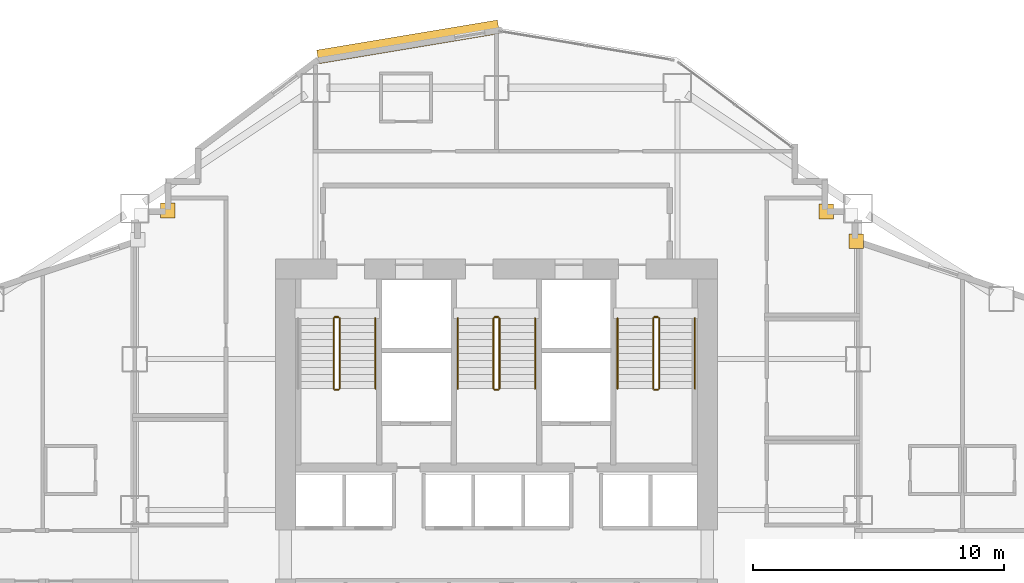
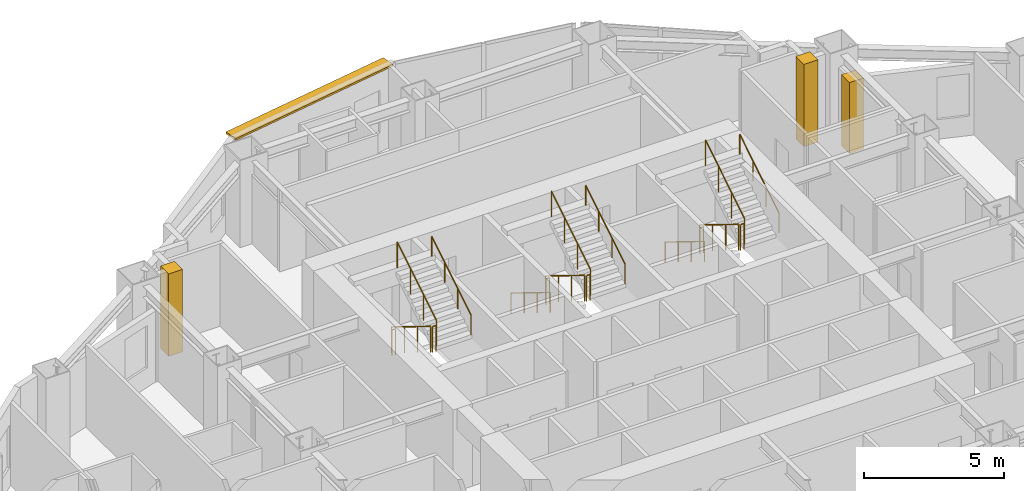
# One storey, part 16 of 17: 17 railings, 3 coverings, 1 shading device.
"""IFC4 building model written with IfcOpenShell, lengths in metres."""

from ifc_helpers import new_model, si_unit, direction, frame, origin, origin_2d, place, context, subcontext, project, spatial, rectangle, circle, extrude, material, layer, layer_set, type_object, element, save


model = new_model("IFC4")

# Units and contexts
model_context = context("Model", 3, precision=1e-05, world=origin(), true_north=direction((0.0, 1.0)))
body_context = subcontext(model_context, "Body", "Model", "MODEL_VIEW")
ifc_project = project(units=[si_unit("LENGTHUNIT", "METRE"), si_unit("AREAUNIT", "SQUARE_METRE"), si_unit("VOLUMEUNIT", "CUBIC_METRE"), si_unit("PLANEANGLEUNIT", "RADIAN"), si_unit("MASSUNIT", "GRAM", prefix="KILO")], contexts=[model_context])

# Site, building, storey
site_placement = place(None, origin())
site = spatial("IfcSite", under=ifc_project, at=site_placement, CompositionType="ELEMENT")
building_placement = place(site_placement, origin())
building = spatial("IfcBuilding", under=site, at=building_placement, Name="Haolan Belvedere Tower", CompositionType="ELEMENT")
storey_placement = place(building_placement, frame((0.0, 0.0, 81.800048828125)))
storey = spatial("IfcBuildingStorey", under=building, at=storey_placement, Name="L20", CompositionType="ELEMENT", Elevation=81.800048828125)

# Coverings
ifc_material_1 = material(Name="Pale champagne-silver anodised aluminium rainscreen cladding", Category="aluminium")
ifc_layer_1 = layer(ifc_material_1, 0.034912109375, Name="Pale champagne-silver anodised aluminium rainscreen cladding")
ifc_layer_set_1 = layer_set([ifc_layer_1], Name="Pale champagne-silver anodised aluminium rainscreen cladding")
covering_type = type_object("IfcCoveringType", Name="COV-CLAD-35", PredefinedType="CLADDING", material=ifc_layer_set_1)
covering_placement = place(storey_placement, frame((52.72021484375, 44.300048828125, 0.0), z_axis=(0.0, 0.0, 1.0), x_axis=(1.0, 0.0, 0.0)))
element("IfcCovering", 1, at=covering_placement, inside=storey, type_object=covering_type, Name="L20 pale-metal serrated corner cladding trim 7", PredefinedType="CLADDING", context=body_context, shape_type="SweptSolid", body=[
    extrude(rectangle(XDim=0.580078125, YDim=0.580078125, at=origin_2d()), origin(), (0.0, 0.0, 1.0), 3.096923828125),
])
for number, where, z_axis, x_axis, name in (
    (2, (51.5224609375, 45.47998046875, 0.0), (0.0, 0.0, 1.0), (1.0, 0.0, 0.0), "L20 pale-metal serrated corner cladding trim 8"),
    (3, (25.320068359375, 45.5224609375, 0.0), (0.0, 0.0, 1.0), (1.0, 0.0, 0.0), "L20 pale-metal serrated corner cladding trim 9"),
):
    element("IfcCovering", number, at=place(storey_placement, frame(where, z_axis=z_axis, x_axis=x_axis)), inside=storey, type_object=covering_type, Name=name, PredefinedType="CLADDING", context=body_context, shape_type="SweptSolid", body=[
        extrude(rectangle(XDim=0.580078125, YDim=0.580078125, at=origin_2d()), origin(), (0.0, 0.0, 1.0), 3.60009765625),
    ])

# Railings
ifc_material_2 = material(Name="Brushed stainless steel 304", Category="steel")
railing_type_1 = type_object("IfcRailingType", Name="RL-STAIR-GRD-1150", PredefinedType="GUARDRAIL", material=ifc_material_2)
railing_1_placement = place(storey_placement, frame((31.919921875, 41.22998046875, 0.172607421875)))
element("IfcRailing", 4, at=railing_1_placement, inside=storey, type_object=railing_type_1, Name="L20 ST1 stair guard 1", PredefinedType="GUARDRAIL", context=body_context, shape_type="SweptSolid", body=[
    extrude(circle(Radius=0.02392578125, at=origin_2d()), frame((0.0, 0.0, 1.1259765625), z_axis=(0.0, -0.851089632645, 0.525020415988), x_axis=(1.0, 0.0, 0.0)), (0.0, 0.0, 1.0), 3.2900390625),
    extrude(circle(Radius=0.02099609375, at=origin_2d()), origin(), (0.0, 0.0, 1.0), 1.101806640625),
    extrude(circle(Radius=0.02099609375, at=origin_2d()), frame((0.0, -0.933349609375, 0.57568359375)), (0.0, 0.0, 1.0), 1.101806640625),
    extrude(circle(Radius=0.02099609375, at=origin_2d()), frame((0.0, -1.86669921875, 1.151611328125)), (0.0, 0.0, 1.0), 1.101806640625),
    extrude(circle(Radius=0.02099609375, at=origin_2d()), frame((0.0, -2.800048828125, 1.727294921875)), (0.0, 0.0, 1.0), 1.101806640625),
])
railing_2_placement = place(storey_placement, frame((31.969970703125, 38.3798828125, 1.89990234375)))
element("IfcRailing", 5, at=railing_2_placement, inside=storey, type_object=railing_type_1, Name="L20 ST1 stair guard 2", PredefinedType="GUARDRAIL", context=body_context, shape_type="SweptSolid", body=[
    extrude(circle(Radius=0.02392578125, at=origin_2d()), frame((0.0, 0.0, 1.1259765625), z_axis=(1.0, 0.0, 0.0), x_axis=(0.0, 1.0, 0.0)), (0.0, 0.0, 1.0), 0.14013671875),
    extrude(circle(Radius=0.02099609375, at=origin_2d()), origin(), (0.0, 0.0, 1.0), 1.101806640625),
    extrude(circle(Radius=0.02099609375, at=origin_2d()), frame((0.14013671875, 0.0, 0.0)), (0.0, 0.0, 1.0), 1.101806640625),
])
railing_3_placement = place(storey_placement, frame((32.159912109375, 38.429931640625, 2.07275390625)))
element("IfcRailing", 6, at=railing_3_placement, inside=storey, type_object=railing_type_1, Name="L20 ST1 stair guard 3", PredefinedType="GUARDRAIL", context=body_context, shape_type="SweptSolid", body=[
    extrude(circle(Radius=0.02392578125, at=origin_2d()), frame((0.0, 0.0, 1.1259765625), z_axis=(0.0, 0.851089632645, 0.525020415988), x_axis=(-1.0, 0.0, 0.0)), (0.0, 0.0, 1.0), 3.2900390625),
    extrude(circle(Radius=0.02099609375, at=origin_2d()), origin(), (0.0, 0.0, 1.0), 1.101806640625),
    extrude(circle(Radius=0.02099609375, at=origin_2d()), frame((0.0, 0.933349609375, 0.57568359375)), (0.0, 0.0, 1.0), 1.101806640625),
    extrude(circle(Radius=0.02099609375, at=origin_2d()), frame((0.0, 1.86669921875, 1.151611328125)), (0.0, 0.0, 1.0), 1.101806640625),
    extrude(circle(Radius=0.02099609375, at=origin_2d()), frame((0.0, 2.800048828125, 1.727294921875)), (0.0, 0.0, 1.0), 1.101806640625),
])
railing_4_placement = place(storey_placement, frame((31.969970703125, 41.280029296875, 0.0)))
element("IfcRailing", 7, at=railing_4_placement, inside=storey, type_object=railing_type_1, Name="L20 ST1 stair guard 4", PredefinedType="GUARDRAIL", context=body_context, shape_type="SweptSolid", body=[
    extrude(circle(Radius=0.02392578125, at=origin_2d()), frame((0.0, 0.0, 1.1259765625), z_axis=(1.0, 0.0, 0.0), x_axis=(0.0, 1.0, 0.0)), (0.0, 0.0, 1.0), 0.14013671875),
    extrude(circle(Radius=0.02099609375, at=origin_2d()), origin(), (0.0, 0.0, 1.0), 1.101806640625),
    extrude(circle(Radius=0.02099609375, at=origin_2d()), frame((0.14013671875, 0.0, 0.0)), (0.0, 0.0, 1.0), 1.101806640625),
])
railing_5_placement = place(storey_placement, frame((38.280029296875, 41.22998046875, 0.172607421875)))
element("IfcRailing", 8, at=railing_5_placement, inside=storey, type_object=railing_type_1, Name="L20 ST3 stair guard 1", PredefinedType="GUARDRAIL", context=body_context, shape_type="SweptSolid", body=[
    extrude(circle(Radius=0.02392578125, at=origin_2d()), frame((0.0, 0.0, 1.1259765625), z_axis=(0.0, -0.851089632645, 0.525020415988), x_axis=(1.0, 0.0, 0.0)), (0.0, 0.0, 1.0), 3.2900390625),
    extrude(circle(Radius=0.02099609375, at=origin_2d()), origin(), (0.0, 0.0, 1.0), 1.101806640625),
    extrude(circle(Radius=0.02099609375, at=origin_2d()), frame((0.0, -0.933349609375, 0.57568359375)), (0.0, 0.0, 1.0), 1.101806640625),
    extrude(circle(Radius=0.02099609375, at=origin_2d()), frame((0.0, -1.86669921875, 1.151611328125)), (0.0, 0.0, 1.0), 1.101806640625),
    extrude(circle(Radius=0.02099609375, at=origin_2d()), frame((0.0, -2.800048828125, 1.727294921875)), (0.0, 0.0, 1.0), 1.101806640625),
])
railing_6_placement = place(storey_placement, frame((38.330078125, 38.3798828125, 1.89990234375)))
element("IfcRailing", 9, at=railing_6_placement, inside=storey, type_object=railing_type_1, Name="L20 ST3 stair guard 2", PredefinedType="GUARDRAIL", context=body_context, shape_type="SweptSolid", body=[
    extrude(circle(Radius=0.02392578125, at=origin_2d()), frame((0.0, 0.0, 1.1259765625), z_axis=(1.0, 0.0, 0.0), x_axis=(0.0, 1.0, 0.0)), (0.0, 0.0, 1.0), 0.139892578125),
    extrude(circle(Radius=0.02099609375, at=origin_2d()), origin(), (0.0, 0.0, 1.0), 1.101806640625),
    extrude(circle(Radius=0.02099609375, at=origin_2d()), frame((0.139892578125, 0.0, 0.0)), (0.0, 0.0, 1.0), 1.101806640625),
])
railing_7_placement = place(storey_placement, frame((38.52001953125, 38.429931640625, 2.07275390625)))
element("IfcRailing", 10, at=railing_7_placement, inside=storey, type_object=railing_type_1, Name="L20 ST3 stair guard 3", PredefinedType="GUARDRAIL", context=body_context, shape_type="SweptSolid", body=[
    extrude(circle(Radius=0.02392578125, at=origin_2d()), frame((0.0, 0.0, 1.1259765625), z_axis=(0.0, 0.851089632645, 0.525020415988), x_axis=(-1.0, 0.0, 0.0)), (0.0, 0.0, 1.0), 3.2900390625),
    extrude(circle(Radius=0.02099609375, at=origin_2d()), origin(), (0.0, 0.0, 1.0), 1.101806640625),
    extrude(circle(Radius=0.02099609375, at=origin_2d()), frame((0.0, 0.933349609375, 0.57568359375)), (0.0, 0.0, 1.0), 1.101806640625),
    extrude(circle(Radius=0.02099609375, at=origin_2d()), frame((0.0, 1.86669921875, 1.151611328125)), (0.0, 0.0, 1.0), 1.101806640625),
    extrude(circle(Radius=0.02099609375, at=origin_2d()), frame((0.0, 2.800048828125, 1.727294921875)), (0.0, 0.0, 1.0), 1.101806640625),
])
railing_8_placement = place(storey_placement, frame((38.330078125, 41.280029296875, 0.0)))
element("IfcRailing", 11, at=railing_8_placement, inside=storey, type_object=railing_type_1, Name="L20 ST3 stair guard 4", PredefinedType="GUARDRAIL", context=body_context, shape_type="SweptSolid", body=[
    extrude(circle(Radius=0.02392578125, at=origin_2d()), frame((0.0, 0.0, 1.1259765625), z_axis=(1.0, 0.0, 0.0), x_axis=(0.0, 1.0, 0.0)), (0.0, 0.0, 1.0), 0.139892578125),
    extrude(circle(Radius=0.02099609375, at=origin_2d()), origin(), (0.0, 0.0, 1.0), 1.101806640625),
    extrude(circle(Radius=0.02099609375, at=origin_2d()), frame((0.139892578125, 0.0, 0.0)), (0.0, 0.0, 1.0), 1.101806640625),
])
railing_9_placement = place(storey_placement, frame((44.639892578125, 41.22998046875, 0.172607421875)))
element("IfcRailing", 12, at=railing_9_placement, inside=storey, type_object=railing_type_1, Name="L20 ST2 stair guard 1", PredefinedType="GUARDRAIL", context=body_context, shape_type="SweptSolid", body=[
    extrude(circle(Radius=0.02392578125, at=origin_2d()), frame((0.0, 0.0, 1.1259765625), z_axis=(0.0, -0.851089632645, 0.525020415988), x_axis=(1.0, 0.0, 0.0)), (0.0, 0.0, 1.0), 3.2900390625),
    extrude(circle(Radius=0.02099609375, at=origin_2d()), origin(), (0.0, 0.0, 1.0), 1.101806640625),
    extrude(circle(Radius=0.02099609375, at=origin_2d()), frame((0.0, -0.933349609375, 0.57568359375)), (0.0, 0.0, 1.0), 1.101806640625),
    extrude(circle(Radius=0.02099609375, at=origin_2d()), frame((0.0, -1.86669921875, 1.151611328125)), (0.0, 0.0, 1.0), 1.101806640625),
    extrude(circle(Radius=0.02099609375, at=origin_2d()), frame((0.0, -2.800048828125, 1.727294921875)), (0.0, 0.0, 1.0), 1.101806640625),
])
railing_10_placement = place(storey_placement, frame((44.68994140625, 38.3798828125, 1.89990234375)))
element("IfcRailing", 13, at=railing_10_placement, inside=storey, type_object=railing_type_1, Name="L20 ST2 stair guard 2", PredefinedType="GUARDRAIL", context=body_context, shape_type="SweptSolid", body=[
    extrude(circle(Radius=0.02392578125, at=origin_2d()), frame((0.0, 0.0, 1.1259765625), z_axis=(1.0, 0.0, 0.0), x_axis=(0.0, 1.0, 0.0)), (0.0, 0.0, 1.0), 0.14013671875),
    extrude(circle(Radius=0.02099609375, at=origin_2d()), origin(), (0.0, 0.0, 1.0), 1.101806640625),
    extrude(circle(Radius=0.02099609375, at=origin_2d()), frame((0.14013671875, 0.0, 0.0)), (0.0, 0.0, 1.0), 1.101806640625),
])
railing_11_placement = place(storey_placement, frame((44.8798828125, 38.429931640625, 2.07275390625)))
element("IfcRailing", 14, at=railing_11_placement, inside=storey, type_object=railing_type_1, Name="L20 ST2 stair guard 3", PredefinedType="GUARDRAIL", context=body_context, shape_type="SweptSolid", body=[
    extrude(circle(Radius=0.02392578125, at=origin_2d()), frame((0.0, 0.0, 1.1259765625), z_axis=(0.0, 0.851089632645, 0.525020415988), x_axis=(-1.0, 0.0, 0.0)), (0.0, 0.0, 1.0), 3.2900390625),
    extrude(circle(Radius=0.02099609375, at=origin_2d()), origin(), (0.0, 0.0, 1.0), 1.101806640625),
    extrude(circle(Radius=0.02099609375, at=origin_2d()), frame((0.0, 0.933349609375, 0.57568359375)), (0.0, 0.0, 1.0), 1.101806640625),
    extrude(circle(Radius=0.02099609375, at=origin_2d()), frame((0.0, 1.86669921875, 1.151611328125)), (0.0, 0.0, 1.0), 1.101806640625),
    extrude(circle(Radius=0.02099609375, at=origin_2d()), frame((0.0, 2.800048828125, 1.727294921875)), (0.0, 0.0, 1.0), 1.101806640625),
])
railing_12_placement = place(storey_placement, frame((44.68994140625, 41.280029296875, 0.0)))
element("IfcRailing", 15, at=railing_12_placement, inside=storey, type_object=railing_type_1, Name="L20 ST2 stair guard 4", PredefinedType="GUARDRAIL", context=body_context, shape_type="SweptSolid", body=[
    extrude(circle(Radius=0.02392578125, at=origin_2d()), frame((0.0, 0.0, 1.1259765625), z_axis=(1.0, 0.0, 0.0), x_axis=(0.0, 1.0, 0.0)), (0.0, 0.0, 1.0), 0.14013671875),
    extrude(circle(Radius=0.02099609375, at=origin_2d()), origin(), (0.0, 0.0, 1.0), 1.101806640625),
    extrude(circle(Radius=0.02099609375, at=origin_2d()), frame((0.14013671875, 0.0, 0.0)), (0.0, 0.0, 1.0), 1.101806640625),
])
railing_type_2 = type_object("IfcRailingType", Name="RL-STAIR-HND-900", PredefinedType="HANDRAIL", material=ifc_material_2)
railing_13_placement = place(storey_placement, frame((33.580078125, 38.429931640625, 2.07275390625)))
element("IfcRailing", 16, at=railing_13_placement, inside=storey, type_object=railing_type_2, Name="L20 ST1 stair handrail 2", PredefinedType="HANDRAIL", context=body_context, shape_type="SweptSolid", body=[
    extrude(circle(Radius=0.02392578125, at=origin_2d()), frame((0.0, 0.0, 0.8759765625), z_axis=(0.0, 0.851089632645, 0.525020415988), x_axis=(-1.0, 0.0, 0.0)), (0.0, 0.0, 1.0), 3.2900390625),
    extrude(circle(Radius=0.02099609375, at=origin_2d()), origin(), (0.0, 0.0, 1.0), 0.851806640625),
    extrude(circle(Radius=0.02099609375, at=origin_2d()), frame((0.0, 0.933349609375, 0.57568359375)), (0.0, 0.0, 1.0), 0.851806640625),
    extrude(circle(Radius=0.02099609375, at=origin_2d()), frame((0.0, 1.86669921875, 1.151611328125)), (0.0, 0.0, 1.0), 0.851806640625),
    extrude(circle(Radius=0.02099609375, at=origin_2d()), frame((0.0, 2.800048828125, 1.727294921875)), (0.0, 0.0, 1.0), 0.851806640625),
])
railing_14_placement = place(storey_placement, frame((36.860107421875, 41.22998046875, 0.172607421875)))
element("IfcRailing", 17, at=railing_14_placement, inside=storey, type_object=railing_type_2, Name="L20 ST3 stair handrail 1", PredefinedType="HANDRAIL", context=body_context, shape_type="SweptSolid", body=[
    extrude(circle(Radius=0.02392578125, at=origin_2d()), frame((0.0, 0.0, 0.8759765625), z_axis=(0.0, -0.851089632645, 0.525020415988), x_axis=(1.0, 0.0, 0.0)), (0.0, 0.0, 1.0), 3.2900390625),
    extrude(circle(Radius=0.02099609375, at=origin_2d()), origin(), (0.0, 0.0, 1.0), 0.851806640625),
    extrude(circle(Radius=0.02099609375, at=origin_2d()), frame((0.0, -0.933349609375, 0.57568359375)), (0.0, 0.0, 1.0), 0.851806640625),
    extrude(circle(Radius=0.02099609375, at=origin_2d()), frame((0.0, -1.86669921875, 1.151611328125)), (0.0, 0.0, 1.0), 0.851806640625),
    extrude(circle(Radius=0.02099609375, at=origin_2d()), frame((0.0, -2.800048828125, 1.727294921875)), (0.0, 0.0, 1.0), 0.851806640625),
])
railing_15_placement = place(storey_placement, frame((39.93994140625, 38.429931640625, 2.07275390625)))
element("IfcRailing", 18, at=railing_15_placement, inside=storey, type_object=railing_type_2, Name="L20 ST3 stair handrail 2", PredefinedType="HANDRAIL", context=body_context, shape_type="SweptSolid", body=[
    extrude(circle(Radius=0.02392578125, at=origin_2d()), frame((0.0, 0.0, 0.8759765625), z_axis=(0.0, 0.851089632645, 0.525020415988), x_axis=(-1.0, 0.0, 0.0)), (0.0, 0.0, 1.0), 3.2900390625),
    extrude(circle(Radius=0.02099609375, at=origin_2d()), origin(), (0.0, 0.0, 1.0), 0.851806640625),
    extrude(circle(Radius=0.02099609375, at=origin_2d()), frame((0.0, 0.933349609375, 0.57568359375)), (0.0, 0.0, 1.0), 0.851806640625),
    extrude(circle(Radius=0.02099609375, at=origin_2d()), frame((0.0, 1.86669921875, 1.151611328125)), (0.0, 0.0, 1.0), 0.851806640625),
    extrude(circle(Radius=0.02099609375, at=origin_2d()), frame((0.0, 2.800048828125, 1.727294921875)), (0.0, 0.0, 1.0), 0.851806640625),
])
railing_16_placement = place(storey_placement, frame((43.219970703125, 41.22998046875, 0.172607421875)))
element("IfcRailing", 19, at=railing_16_placement, inside=storey, type_object=railing_type_2, Name="L20 ST2 stair handrail 1", PredefinedType="HANDRAIL", context=body_context, shape_type="SweptSolid", body=[
    extrude(circle(Radius=0.02392578125, at=origin_2d()), frame((0.0, 0.0, 0.8759765625), z_axis=(0.0, -0.851089632645, 0.525020415988), x_axis=(1.0, 0.0, 0.0)), (0.0, 0.0, 1.0), 3.2900390625),
    extrude(circle(Radius=0.02099609375, at=origin_2d()), origin(), (0.0, 0.0, 1.0), 0.851806640625),
    extrude(circle(Radius=0.02099609375, at=origin_2d()), frame((0.0, -0.933349609375, 0.57568359375)), (0.0, 0.0, 1.0), 0.851806640625),
    extrude(circle(Radius=0.02099609375, at=origin_2d()), frame((0.0, -1.86669921875, 1.151611328125)), (0.0, 0.0, 1.0), 0.851806640625),
    extrude(circle(Radius=0.02099609375, at=origin_2d()), frame((0.0, -2.800048828125, 1.727294921875)), (0.0, 0.0, 1.0), 0.851806640625),
])
railing_17_placement = place(storey_placement, frame((46.300048828125, 38.429931640625, 2.07275390625)))
element("IfcRailing", 20, at=railing_17_placement, inside=storey, type_object=railing_type_2, Name="L20 ST2 stair handrail 2", PredefinedType="HANDRAIL", context=body_context, shape_type="SweptSolid", body=[
    extrude(circle(Radius=0.02392578125, at=origin_2d()), frame((0.0, 0.0, 0.8759765625), z_axis=(0.0, 0.851089632645, 0.525020415988), x_axis=(-1.0, 0.0, 0.0)), (0.0, 0.0, 1.0), 3.2900390625),
    extrude(circle(Radius=0.02099609375, at=origin_2d()), origin(), (0.0, 0.0, 1.0), 0.851806640625),
    extrude(circle(Radius=0.02099609375, at=origin_2d()), frame((0.0, 0.933349609375, 0.57568359375)), (0.0, 0.0, 1.0), 0.851806640625),
    extrude(circle(Radius=0.02099609375, at=origin_2d()), frame((0.0, 1.86669921875, 1.151611328125)), (0.0, 0.0, 1.0), 0.851806640625),
    extrude(circle(Radius=0.02099609375, at=origin_2d()), frame((0.0, 2.800048828125, 1.727294921875)), (0.0, 0.0, 1.0), 0.851806640625),
])

# Shading device
ifc_material_3 = material(Name="Anodised champagne-silver aluminium 6063-T6", Category="aluminium")
ifc_layer_2 = layer(ifc_material_3, 0.080078125, Name="Anodised champagne-silver aluminium 6063-T6")
ifc_layer_set_2 = layer_set([ifc_layer_2], Name="Anodised champagne-silver aluminium 6063-T6")
shading_device_type = type_object("IfcShadingDeviceType", Name="SHD-SUN-550", PredefinedType="USERDEFINED", material=ifc_layer_set_2)
shading_device_placement = place(storey_placement, frame((34.885009765625, 52.234375, 3.5), z_axis=(0.0, 0.0, 1.0), x_axis=(-0.986394848329, -0.164393440227, 0.0)))
element("IfcShadingDevice", 21, at=shading_device_placement, inside=storey, type_object=shading_device_type, Name="L20 pale-metal horizontal SUNSHADE band 43.1", ObjectType="SUNSHADE", PredefinedType="USERDEFINED", context=body_context, shape_type="SweptSolid", body=[
    extrude(rectangle(XDim=7.2900390625, YDim=0.550048828125, at=origin_2d()), origin(), (0.0, 0.0, 1.0), 0.080078125),
])

save(model, "model.ifc")
